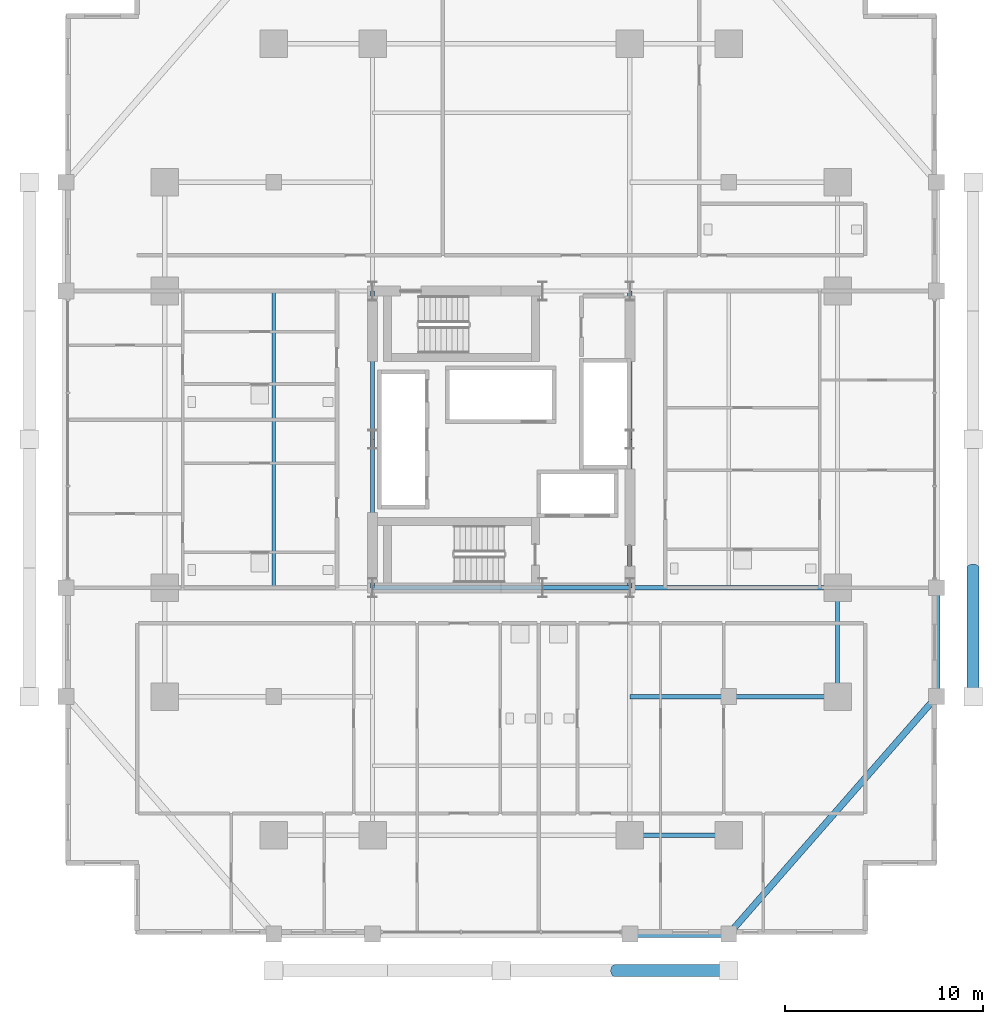
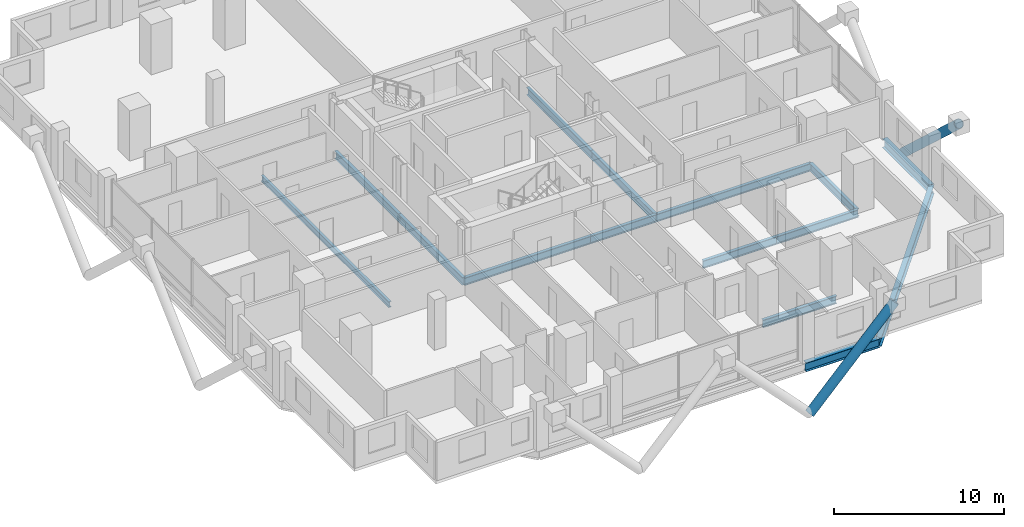
# One storey, part 7 of 23: 15 beams, 2 members.
"""IFC4 building model written with IfcOpenShell, lengths in metres."""

from ifc_helpers import new_model, si_unit, direction, frame, origin, origin_2d, place, context, subcontext, project, spatial, hollow_circle, i_section, extrude, material, material_profile, profile_set, type_object, element, save


model = new_model("IFC4")

# Units and contexts
model_context = context("Model", 3, precision=1e-05, world=origin(), true_north=direction((0.0, 1.0)))
body_context = subcontext(model_context, "Body", "Model", "MODEL_VIEW")
ifc_project = project(units=[si_unit("LENGTHUNIT", "METRE"), si_unit("AREAUNIT", "SQUARE_METRE"), si_unit("VOLUMEUNIT", "CUBIC_METRE"), si_unit("PLANEANGLEUNIT", "RADIAN"), si_unit("MASSUNIT", "GRAM", prefix="KILO")], contexts=[model_context])

# Site, building, storey
site_placement = place(None, origin())
site = spatial("IfcSite", under=ifc_project, at=site_placement, CompositionType="ELEMENT")
building_placement = place(site_placement, origin())
building = spatial("IfcBuilding", under=site, at=building_placement, Name="Barlavira Tower and Art Museum", CompositionType="ELEMENT")
storey_placement = place(building_placement, frame((0.0, 0.0, 36.0)))
storey = spatial("IfcBuildingStorey", under=building, at=storey_placement, Name="L07", CompositionType="ELEMENT", Elevation=36.0)

# Members
ifc_material = material(Name="Steel S355", Category="steel")
ifc_material_profile_1 = material_profile(ifc_material, hollow_circle(Radius=0.304931640625, WallThickness=0.028076171875, at=origin_2d()), Name="CHS 610.0x28.0")
ifc_profile_set_1 = profile_set([ifc_material_profile_1], Name="Steel S355")
member_type = type_object("IfcMemberType", Name="Pale-Metal Exoskeleton Diagrid Tube CHS 610x28 Steel S355", PredefinedType="BRACE", material=ifc_profile_set_1)
member_1_placement = place(storey_placement, frame((5.75, -26.85009765625, -2.52001953125), z_axis=(0.691905363236, 0.0, 0.721988205115), x_axis=(0.0, 1.0, 0.0)))
element("IfcMember", 1, at=member_1_placement, inside=storey, type_object=member_type, Name="L07 Exoskeleton Diagrid Tube S", PredefinedType="BRACE", context=body_context, shape_type="SweptSolid", body=[
    extrude(hollow_circle(Radius=0.304931640625, WallThickness=0.028076171875, at=origin_2d()), origin(), (0.0, 0.0, 1.0), 8.310302734375),
])
member_2_placement = place(storey_placement, frame((23.85009765625, -6.5, -2.52001953125), z_axis=(0.0, -0.734803444627, 0.678280102733), x_axis=(1.0, 0.0, 0.0)))
element("IfcMember", 2, at=member_2_placement, inside=storey, type_object=member_type, Name="L07 Exoskeleton Diagrid Tube E", PredefinedType="BRACE", context=body_context, shape_type="SweptSolid", body=[
    extrude(hollow_circle(Radius=0.304931640625, WallThickness=0.028076171875, at=origin_2d()), origin(), (0.0, 0.0, 1.0), 8.845947265625),
])

# Beams
ifc_material_profile_2 = material_profile(ifc_material, i_section(OverallWidth=0.327880859375, OverallDepth=0.62890625, WebThickness=0.013916015625, FlangeThickness=0.021484375, at=origin_2d()), Name="W610x174.0")
ifc_profile_set_2 = profile_set([ifc_material_profile_2], Name="Steel S355")
beam_type_1 = type_object("IfcBeamType", Name="Perimeter Spandrel Edge Beam W610x174 Steel S355", PredefinedType="SPANDREL", material=ifc_profile_set_2)
beam_1_placement = place(storey_placement, frame((6.5, -25.0, -0.534423828125), z_axis=(1.0, 0.0, 0.0), x_axis=(0.0, 1.0, 0.0)))
element("IfcBeam", 3, at=beam_1_placement, inside=storey, type_object=beam_type_1, Name="L07 Spandrel 3", PredefinedType="SPANDREL", context=body_context, shape_type="SweptSolid", body=[
    extrude(i_section(OverallWidth=0.327880859375, OverallDepth=0.62890625, WebThickness=0.013916015625, FlangeThickness=0.021484375, at=origin_2d()), origin(), (0.0, 0.0, 1.0), 5.0),
])
beam_2_placement = place(storey_placement, frame((11.5, -25.0, -0.534423828125), z_axis=(0.658504607869, 0.752576694707, 0.0), x_axis=(-0.752576694707, 0.658504607869, 0.0)))
element("IfcBeam", 4, at=beam_2_placement, inside=storey, type_object=beam_type_1, Name="L07 Spandrel 4", PredefinedType="SPANDREL", context=body_context, shape_type="SweptSolid", body=[
    extrude(i_section(OverallWidth=0.327880859375, OverallDepth=0.62890625, WebThickness=0.013916015625, FlangeThickness=0.021484375, at=origin_2d()), origin(), (0.0, 0.0, 1.0), 15.9453125),
])
beam_3_placement = place(storey_placement, frame((22.0, -13.0, -0.534423828125), z_axis=(0.0, 1.0, 0.0), x_axis=(-1.0, 0.0, 0.0)))
element("IfcBeam", 5, at=beam_3_placement, inside=storey, type_object=beam_type_1, Name="L07 Spandrel 5", PredefinedType="SPANDREL", context=body_context, shape_type="SweptSolid", body=[
    extrude(i_section(OverallWidth=0.327880859375, OverallDepth=0.62890625, WebThickness=0.013916015625, FlangeThickness=0.021484375, at=origin_2d()), origin(), (0.0, 0.0, 1.0), 5.5),
])
ifc_material_profile_3 = material_profile(ifc_material, i_section(OverallWidth=0.180908203125, OverallDepth=0.4169921875, WebThickness=0.010986328125, FlangeThickness=0.018310546875, at=origin_2d()), Name="W410x85.0")
ifc_profile_set_3 = profile_set([ifc_material_profile_3], Name="Steel S355")
beam_type_2 = type_object("IfcBeamType", Name="Zone 1 Composite Floor Joist W410x85 Steel S355", PredefinedType="JOIST", material=ifc_profile_set_3)
beam_4_placement = place(storey_placement, frame((-11.5, -7.5, -0.428466796875), z_axis=(0.0, 1.0, 0.0), x_axis=(-1.0, 0.0, 0.0)))
element("IfcBeam", 6, at=beam_4_placement, inside=storey, type_object=beam_type_2, Name="L07 Joist W1", PredefinedType="JOIST", context=body_context, shape_type="SweptSolid", body=[
    extrude(i_section(OverallWidth=0.180908203125, OverallDepth=0.4169921875, WebThickness=0.010986328125, FlangeThickness=0.018310546875, at=origin_2d()), origin(), (0.0, 0.0, 1.0), 15.0),
])
ifc_material_profile_4 = material_profile(ifc_material, i_section(OverallWidth=0.214111328125, OverallDepth=0.549072265625, WebThickness=0.0146484375, FlangeThickness=0.023681640625, at=origin_2d()), Name="W530x138.0")
ifc_profile_set_4 = profile_set([ifc_material_profile_4], Name="Steel S355")
beam_type_3 = type_object("IfcBeamType", Name="Zone 1 Primary Floor Girder W530x138 Steel S355", PredefinedType="BEAM", material=ifc_profile_set_4)
beam_5_placement = place(storey_placement, frame((-6.5, -7.5, -0.494384765625), z_axis=(1.0, 0.0, 0.0), x_axis=(0.0, 1.0, 0.0)))
element("IfcBeam", 7, at=beam_5_placement, inside=storey, type_object=beam_type_3, Name="L07 Girder C-S1", PredefinedType="BEAM", context=body_context, shape_type="SweptSolid", body=[
    extrude(i_section(OverallWidth=0.214111328125, OverallDepth=0.549072265625, WebThickness=0.0146484375, FlangeThickness=0.023681640625, at=origin_2d()), origin(), (0.0, 0.0, 1.0), 8.580078125),
])
beam_6_placement = place(storey_placement, frame((2.080078125, -7.5, -0.494384765625), z_axis=(1.0, 0.0, 0.0), x_axis=(0.0, 1.0, 0.0)))
element("IfcBeam", 8, at=beam_6_placement, inside=storey, type_object=beam_type_3, Name="L07 Girder C-S2", PredefinedType="BEAM", context=body_context, shape_type="SweptSolid", body=[
    extrude(i_section(OverallWidth=0.214111328125, OverallDepth=0.549072265625, WebThickness=0.0146484375, FlangeThickness=0.023681640625, at=origin_2d()), origin(), (0.0, 0.0, 1.0), 4.419921875),
])
for number, where, z_axis, x_axis, name in (
    (9, (-6.5, -7.5, -0.494384765625), (0.0, 1.0, 0.0), (-1.0, 0.0, 0.0), "L07 Girder C-W1"),
    (10, (-6.5, 0.0, -0.494384765625), (0.0, 1.0, 0.0), (-1.0, 0.0, 0.0), "L07 Girder C-W2"),
    (11, (6.5, -7.5, -0.494384765625), (0.0, 1.0, 0.0), (-1.0, 0.0, 0.0), "L07 Girder C-E1"),
    (12, (6.5, 0.0, -0.494384765625), (0.0, 1.0, 0.0), (-1.0, 0.0, 0.0), "L07 Girder C-E2"),
):
    element("IfcBeam", number, at=place(storey_placement, frame(where, z_axis=z_axis, x_axis=x_axis)), inside=storey, type_object=beam_type_3, Name=name, PredefinedType="BEAM", context=body_context, shape_type="SweptSolid", body=[
        extrude(i_section(OverallWidth=0.214111328125, OverallDepth=0.549072265625, WebThickness=0.0146484375, FlangeThickness=0.023681640625, at=origin_2d()), origin(), (0.0, 0.0, 1.0), 7.5),
    ])
beam_7_placement = place(storey_placement, frame((6.5, -20.0, -0.494384765625), z_axis=(1.0, 0.0, 0.0), x_axis=(0.0, 1.0, 0.0)))
element("IfcBeam", 13, at=beam_7_placement, inside=storey, type_object=beam_type_3, Name="L07 Girder M-S3", PredefinedType="BEAM", context=body_context, shape_type="SweptSolid", body=[
    extrude(i_section(OverallWidth=0.214111328125, OverallDepth=0.549072265625, WebThickness=0.0146484375, FlangeThickness=0.023681640625, at=origin_2d()), origin(), (0.0, 0.0, 1.0), 5.0),
])
beam_8_placement = place(storey_placement, frame((17.0, -13.0, -0.494384765625), z_axis=(0.0, 1.0, 0.0), x_axis=(-1.0, 0.0, 0.0)))
element("IfcBeam", 14, at=beam_8_placement, inside=storey, type_object=beam_type_3, Name="L07 Girder M-E1", PredefinedType="BEAM", context=body_context, shape_type="SweptSolid", body=[
    extrude(i_section(OverallWidth=0.214111328125, OverallDepth=0.549072265625, WebThickness=0.0146484375, FlangeThickness=0.023681640625, at=origin_2d()), origin(), (0.0, 0.0, 1.0), 5.5),
])
beam_9_placement = place(storey_placement, frame((6.5, -7.5, -0.494384765625), z_axis=(1.0, 0.0, 0.0), x_axis=(0.0, 1.0, 0.0)))
element("IfcBeam", 15, at=beam_9_placement, inside=storey, type_object=beam_type_3, Name="L07 Girder R-E1", PredefinedType="BEAM", context=body_context, shape_type="SweptSolid", body=[
    extrude(i_section(OverallWidth=0.214111328125, OverallDepth=0.549072265625, WebThickness=0.0146484375, FlangeThickness=0.023681640625, at=origin_2d()), origin(), (0.0, 0.0, 1.0), 10.5),
])
beam_10_placement = place(storey_placement, frame((6.5, -13.0, -0.494384765625), z_axis=(1.0, 0.0, 0.0), x_axis=(0.0, 1.0, 0.0)))
element("IfcBeam", 16, at=beam_10_placement, inside=storey, type_object=beam_type_3, Name="L07 Girder I-S3", PredefinedType="BEAM", context=body_context, shape_type="SweptSolid", body=[
    extrude(i_section(OverallWidth=0.214111328125, OverallDepth=0.549072265625, WebThickness=0.0146484375, FlangeThickness=0.023681640625, at=origin_2d()), origin(), (0.0, 0.0, 1.0), 5.0),
])
beam_11_placement = place(storey_placement, frame((11.5, -13.0, -0.494384765625), z_axis=(1.0, 0.0, 0.0), x_axis=(0.0, 1.0, 0.0)))
element("IfcBeam", 17, at=beam_11_placement, inside=storey, type_object=beam_type_3, Name="L07 Girder I-S4", PredefinedType="BEAM", context=body_context, shape_type="SweptSolid", body=[
    extrude(i_section(OverallWidth=0.214111328125, OverallDepth=0.549072265625, WebThickness=0.0146484375, FlangeThickness=0.023681640625, at=origin_2d()), origin(), (0.0, 0.0, 1.0), 5.5),
])

save(model, "model.ifc")
